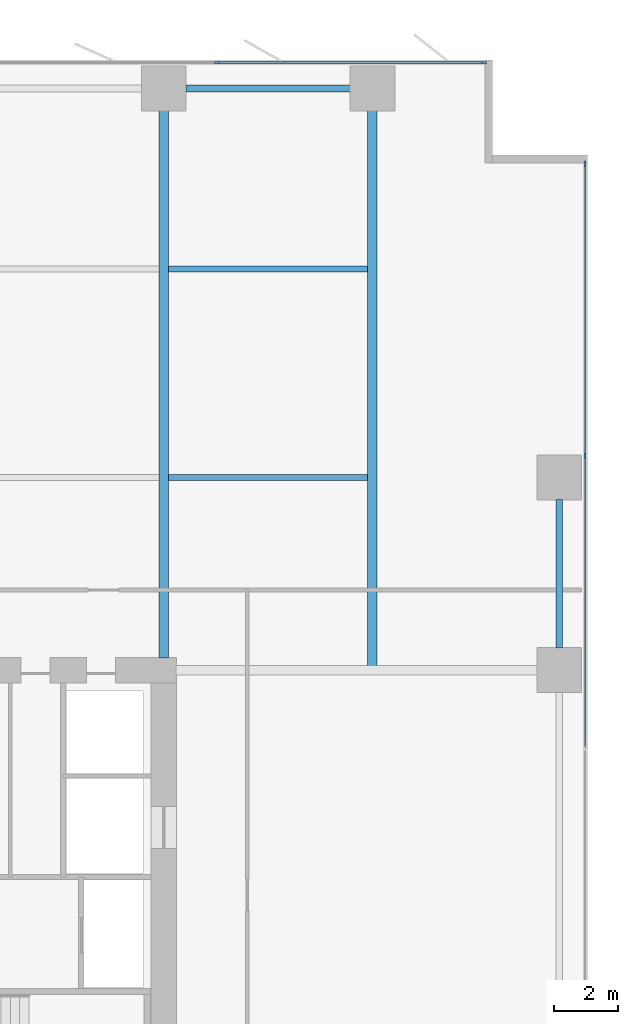
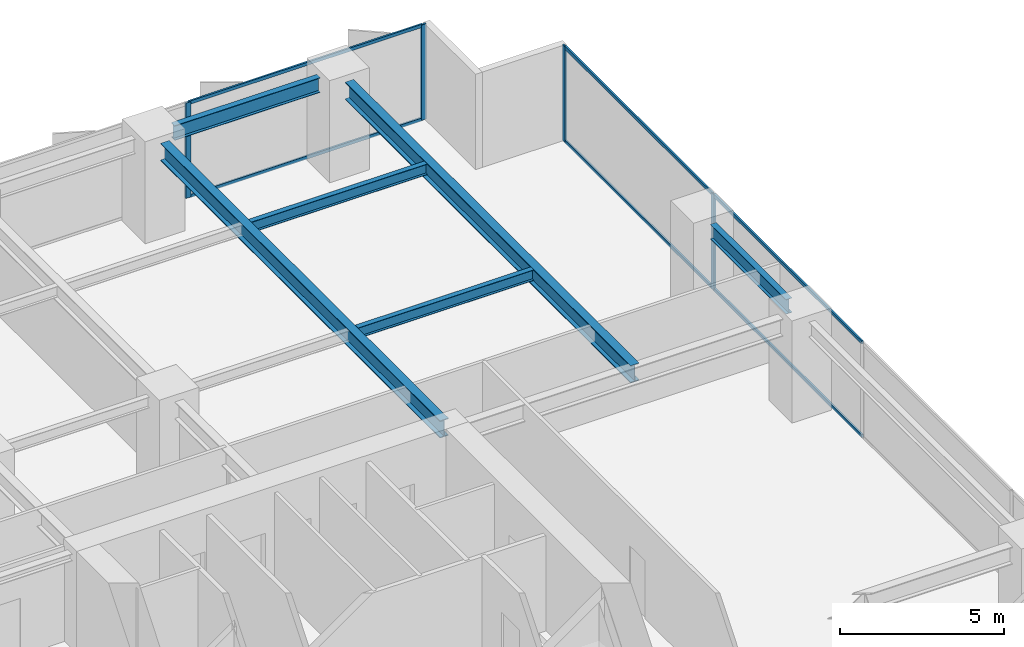
# One storey, part 11 of 20: 10 members, 6 beams, 2 elements without a shape of their own.
"""IFC4 building model written with IfcOpenShell, lengths in metres."""

from ifc_helpers import new_model, si_unit, direction, frame, origin, origin_2d, place, context, subcontext, project, spatial, rectangle, i_section, extrude, material, layer, layer_set, material_profile, profile_set, type_object, element, aggregate, save


model = new_model("IFC4")

# Units and contexts
model_context = context("Model", 3, precision=1e-05, world=origin(), true_north=direction((0.0, 1.0)))
body_context = subcontext(model_context, "Body", "Model", "MODEL_VIEW")
ifc_project = project(units=[si_unit("LENGTHUNIT", "METRE"), si_unit("AREAUNIT", "SQUARE_METRE"), si_unit("VOLUMEUNIT", "CUBIC_METRE"), si_unit("PLANEANGLEUNIT", "RADIAN"), si_unit("MASSUNIT", "GRAM", prefix="KILO")], contexts=[model_context])

# Site, building, storey
site_placement = place(None, origin())
site = spatial("IfcSite", under=ifc_project, at=site_placement, CompositionType="ELEMENT")
building_placement = place(site_placement, origin())
building = spatial("IfcBuilding", under=site, at=building_placement, Name="Putna Gate Headquarters", CompositionType="ELEMENT")
storey_placement = place(building_placement, frame((0.0, 0.0, 43.0)))
storey = spatial("IfcBuildingStorey", under=building, at=storey_placement, Name="L09", CompositionType="ELEMENT", Elevation=43.0)

# Beams
ifc_material_1 = material(Name="Steel S355J2", Category="steel")
ifc_material_profile_1 = material_profile(ifc_material_1, i_section(OverallWidth=0.300048828125, OverallDepth=0.64990234375, WebThickness=0.01611328125, FlangeThickness=0.031005859375, at=origin_2d()), Name="Steel S355J2")
ifc_profile_set_1 = profile_set([ifc_material_profile_1], Name="Steel S355J2")
beam_type_1 = type_object("IfcBeamType", Name="BM-GIRD-Z1-HEB650", PredefinedType="USERDEFINED", material=ifc_profile_set_1)
beam_1_placement = place(storey_placement, frame((65.0, 33.385009765625, 3.22509765625), z_axis=(0.0, 1.0, 0.0), x_axis=(-1.0, 0.0, 0.0)))
element("IfcBeam", 1, at=beam_1_placement, inside=storey, type_object=beam_type_1, Name="L09 North Primary Girder X65", ObjectType="GIRDER", PredefinedType="USERDEFINED", context=body_context, shape_type="SweptSolid", body=[
    extrude(i_section(OverallWidth=0.300048828125, OverallDepth=0.64990234375, WebThickness=0.01611328125, FlangeThickness=0.031005859375, at=origin_2d()), origin(), (0.0, 0.0, 1.0), 17.046875),
])
beam_2_placement = place(storey_placement, frame((71.5, 33.011962890625, 3.22509765625), z_axis=(0.0, 1.0, 0.0), x_axis=(-1.0, 0.0, 0.0)))
element("IfcBeam", 2, at=beam_2_placement, inside=storey, type_object=beam_type_1, Name="L09 North Primary Girder X71", ObjectType="GIRDER", PredefinedType="USERDEFINED", context=body_context, shape_type="SweptSolid", body=[
    extrude(i_section(OverallWidth=0.300048828125, OverallDepth=0.64990234375, WebThickness=0.01611328125, FlangeThickness=0.031005859375, at=origin_2d()), origin(), (0.0, 0.0, 1.0), 17.419921875),
])
ifc_material_profile_2 = material_profile(ifc_material_1, i_section(OverallWidth=0.179931640625, OverallDepth=0.39990234375, WebThickness=0.008544921875, FlangeThickness=0.013427734375, at=origin_2d()), Name="Steel S355J2")
ifc_profile_set_2 = profile_set([ifc_material_profile_2], Name="Steel S355J2")
beam_type_2 = type_object("IfcBeamType", Name="BM-SEC-Z1-IPE400", PredefinedType="BEAM", material=ifc_profile_set_2)
for number, where, z_axis, x_axis, name in (
    (3, (65.154052734375, 39.0, 3.35009765625), (1.0, 0.0, 0.0), (0.0, 1.0, 0.0), "L09 North Secondary Beam 10"),
    (4, (65.154052734375, 45.5, 3.35009765625), (1.0, 0.0, 0.0), (0.0, 1.0, 0.0), "L09 North Secondary Beam 10"),
):
    element("IfcBeam", number, at=place(storey_placement, frame(where, z_axis=z_axis, x_axis=x_axis)), inside=storey, type_object=beam_type_2, Name=name, PredefinedType="BEAM", context=body_context, shape_type="SweptSolid", body=[
        extrude(i_section(OverallWidth=0.179931640625, OverallDepth=0.39990234375, WebThickness=0.008544921875, FlangeThickness=0.013427734375, at=origin_2d()), origin(), (0.0, 0.0, 1.0), 6.19189453125),
    ])
ifc_material_profile_3 = material_profile(ifc_material_1, i_section(OverallWidth=0.2099609375, OverallDepth=0.550048828125, WebThickness=0.010986328125, FlangeThickness=0.01708984375, at=origin_2d()), Name="Steel S355J2")
ifc_profile_set_3 = profile_set([ifc_material_profile_3], Name="Steel S355J2")
beam_type_3 = type_object("IfcBeamType", Name="BM-SPAN-Z1-IPE550", PredefinedType="SPANDREL", material=ifc_profile_set_3)
beam_3_placement = place(storey_placement, frame((65.68798828125, 51.1201171875, 3.27490234375), z_axis=(1.0, 0.0, 0.0), x_axis=(0.0, 1.0, 0.0)))
element("IfcBeam", 5, at=beam_3_placement, inside=storey, type_object=beam_type_3, Name="L09 N Perimeter Spandrel 10", PredefinedType="SPANDREL", context=body_context, shape_type="SweptSolid", body=[
    extrude(i_section(OverallWidth=0.2099609375, OverallDepth=0.550048828125, WebThickness=0.010986328125, FlangeThickness=0.01708984375, at=origin_2d()), origin(), (0.0, 0.0, 1.0), 5.1240234375),
])
beam_4_placement = place(storey_placement, frame((77.320068359375, 33.68798828125, 3.27490234375), z_axis=(0.0, 1.0, 0.0), x_axis=(-1.0, 0.0, 0.0)))
element("IfcBeam", 6, at=beam_4_placement, inside=storey, type_object=beam_type_3, Name="L09 E End Spandrel 3", PredefinedType="SPANDREL", context=body_context, shape_type="SweptSolid", body=[
    extrude(i_section(OverallWidth=0.2099609375, OverallDepth=0.550048828125, WebThickness=0.010986328125, FlangeThickness=0.01708984375, at=origin_2d()), origin(), (0.0, 0.0, 1.0), 4.6240234375),
])

# Curtain wall, members
ifc_material_2 = material(Name="Anodised bronze aluminium curtain wall", Category="aluminium")
ifc_layer = layer(ifc_material_2, 0.179931640625)
ifc_layer_set = layer_set([ifc_layer], Name="Anodised bronze aluminium curtain wall")
curtain_wall_type = type_object("IfcCurtainWallType", Name="CW-SYS-Z1", PredefinedType="USERDEFINED", material=ifc_layer_set)
curtain_wall_1_placement = place(storey_placement, origin())
curtain_wall_1 = element("IfcCurtainWall", 7, at=curtain_wall_1_placement, inside=storey, type_object=curtain_wall_type, Name="L09 North East Curtain Wall", ObjectType="STICK CURTAIN WALL", PredefinedType="USERDEFINED")
ifc_material_3 = material(Name="Anodised bronze aluminium EN AW-6060", Category="aluminium")
ifc_material_profile_4 = material_profile(ifc_material_3, rectangle(XDim=0.070068359375, YDim=0.179931640625, at=origin_2d()), Name="Anodised bronze aluminium EN AW-6060")
ifc_profile_set_4 = profile_set([ifc_material_profile_4], Name="Anodised bronze aluminium EN AW-6060")
member_type_1 = type_object("IfcMemberType", Name="MULL-CWM-1", PredefinedType="MULLION", material=ifc_profile_set_4)
member_1_placement = place(storey_placement, frame((66.666748046875, 51.919921875, 0.0), z_axis=(0.0, 0.0, 1.0), x_axis=(0.0, 1.0, 0.0)))
member_1 = element("IfcMember", 8, at=member_1_placement, type_object=member_type_1, Name="CWS-1 mullion 3", PredefinedType="MULLION", context=body_context, shape_type="SweptSolid", body=[
    extrude(rectangle(XDim=0.070068359375, YDim=0.179931640625, at=origin_2d()), origin(), (0.0, 0.0, 1.0), 3.550048828125),
])
member_2_placement = place(storey_placement, frame((74.965087890625, 51.919921875, 0.0), z_axis=(0.0, 0.0, 1.0), x_axis=(0.0, 1.0, 0.0)))
member_2 = element("IfcMember", 9, at=member_2_placement, type_object=member_type_1, Name="CWS-1 mullion 4", PredefinedType="MULLION", context=body_context, shape_type="SweptSolid", body=[
    extrude(rectangle(XDim=0.070068359375, YDim=0.179931640625, at=origin_2d()), origin(), (0.0, 0.0, 1.0), 3.550048828125),
])

curtain_wall_2_placement = place(storey_placement, origin())
curtain_wall_2 = element("IfcCurtainWall", 10, at=curtain_wall_2_placement, inside=storey, type_object=curtain_wall_type, Name="L09 East Curtain Wall", ObjectType="STICK CURTAIN WALL", PredefinedType="USERDEFINED")
member_3_placement = place(storey_placement, frame((78.1201171875, 39.679931640625, 0.0), z_axis=(0.0, 0.0, 1.0), x_axis=(-1.0, 0.0, 0.0)))
member_3 = element("IfcMember", 11, at=member_3_placement, type_object=member_type_1, Name="CWS-1 mullion 5", PredefinedType="MULLION", context=body_context, shape_type="SweptSolid", body=[
    extrude(rectangle(XDim=0.070068359375, YDim=0.179931640625, at=origin_2d()), origin(), (0.0, 0.0, 1.0), 3.550048828125),
])
member_4_placement = place(storey_placement, frame((78.1201171875, 48.764892578125, 0.0), z_axis=(0.0, 0.0, 1.0), x_axis=(-1.0, 0.0, 0.0)))
member_4 = element("IfcMember", 12, at=member_4_placement, type_object=member_type_1, Name="CWS-1 mullion 6", PredefinedType="MULLION", context=body_context, shape_type="SweptSolid", body=[
    extrude(rectangle(XDim=0.070068359375, YDim=0.179931640625, at=origin_2d()), origin(), (0.0, 0.0, 1.0), 3.550048828125),
])

# Member
ifc_material_profile_5 = material_profile(ifc_material_3, rectangle(XDim=0.06494140625, YDim=0.1201171875, at=origin_2d()), Name="Anodised bronze aluminium EN AW-6060")
ifc_profile_set_5 = profile_set([ifc_material_profile_5], Name="Anodised bronze aluminium EN AW-6060")
member_type_2 = type_object("IfcMemberType", Name="TRAN-CWT-1", PredefinedType="USERDEFINED", material=ifc_profile_set_5)
member_5_placement = place(storey_placement, frame((66.70166015625, 51.919921875, 0.032470703125), z_axis=(1.0, 0.0, 0.0), x_axis=(0.0, 1.0, 0.0)))
member_5 = element("IfcMember", 13, at=member_5_placement, type_object=member_type_2, Name="CWS-1 transom 3.1", ObjectType="TRANSOM", PredefinedType="USERDEFINED", context=body_context, shape_type="SweptSolid", body=[
    extrude(rectangle(XDim=0.06494140625, YDim=0.1201171875, at=origin_2d()), origin(), (0.0, 0.0, 1.0), 8.228271484375),
])

member_6_placement = place(storey_placement, frame((66.70166015625, 51.919921875, 3.517578125), z_axis=(1.0, 0.0, 0.0), x_axis=(0.0, 1.0, 0.0)))
member_6 = element("IfcMember", 14, at=member_6_placement, type_object=member_type_2, Name="CWS-1 transom 3.2", ObjectType="TRANSOM", PredefinedType="USERDEFINED", context=body_context, shape_type="SweptSolid", body=[
    extrude(rectangle(XDim=0.06494140625, YDim=0.1201171875, at=origin_2d()), origin(), (0.0, 0.0, 1.0), 8.228271484375),
])

aggregate(curtain_wall_1, [member_1, member_2, member_5, member_6])

member_7_placement = place(storey_placement, frame((78.1201171875, 30.594970703125, 0.032470703125), z_axis=(0.0, 1.0, 0.0), x_axis=(-1.0, 0.0, 0.0)))
member_7 = element("IfcMember", 15, at=member_7_placement, type_object=member_type_2, Name="CWS-1 transom 4.1", ObjectType="TRANSOM", PredefinedType="USERDEFINED", context=body_context, shape_type="SweptSolid", body=[
    extrude(rectangle(XDim=0.06494140625, YDim=0.1201171875, at=origin_2d()), origin(), (0.0, 0.0, 1.0), 9.050048828125),
])

member_8_placement = place(storey_placement, frame((78.1201171875, 30.594970703125, 3.517578125), z_axis=(0.0, 1.0, 0.0), x_axis=(-1.0, 0.0, 0.0)))
member_8 = element("IfcMember", 16, at=member_8_placement, type_object=member_type_2, Name="CWS-1 transom 4.2", ObjectType="TRANSOM", PredefinedType="USERDEFINED", context=body_context, shape_type="SweptSolid", body=[
    extrude(rectangle(XDim=0.06494140625, YDim=0.1201171875, at=origin_2d()), origin(), (0.0, 0.0, 1.0), 9.050048828125),
])

member_9_placement = place(storey_placement, frame((78.1201171875, 39.715087890625, 0.032470703125), z_axis=(0.0, 1.0, 0.0), x_axis=(-1.0, 0.0, 0.0)))
member_9 = element("IfcMember", 17, at=member_9_placement, type_object=member_type_2, Name="CWS-1 transom 5.1", ObjectType="TRANSOM", PredefinedType="USERDEFINED", context=body_context, shape_type="SweptSolid", body=[
    extrude(rectangle(XDim=0.06494140625, YDim=0.1201171875, at=origin_2d()), origin(), (0.0, 0.0, 1.0), 9.014892578125),
])

member_10_placement = place(storey_placement, frame((78.1201171875, 39.715087890625, 3.517578125), z_axis=(0.0, 1.0, 0.0), x_axis=(-1.0, 0.0, 0.0)))
member_10 = element("IfcMember", 18, at=member_10_placement, type_object=member_type_2, Name="CWS-1 transom 5.2", ObjectType="TRANSOM", PredefinedType="USERDEFINED", context=body_context, shape_type="SweptSolid", body=[
    extrude(rectangle(XDim=0.06494140625, YDim=0.1201171875, at=origin_2d()), origin(), (0.0, 0.0, 1.0), 9.014892578125),
])

aggregate(curtain_wall_2, [member_3, member_4, member_7, member_8, member_9, member_10])

save(model, "model.ifc")
